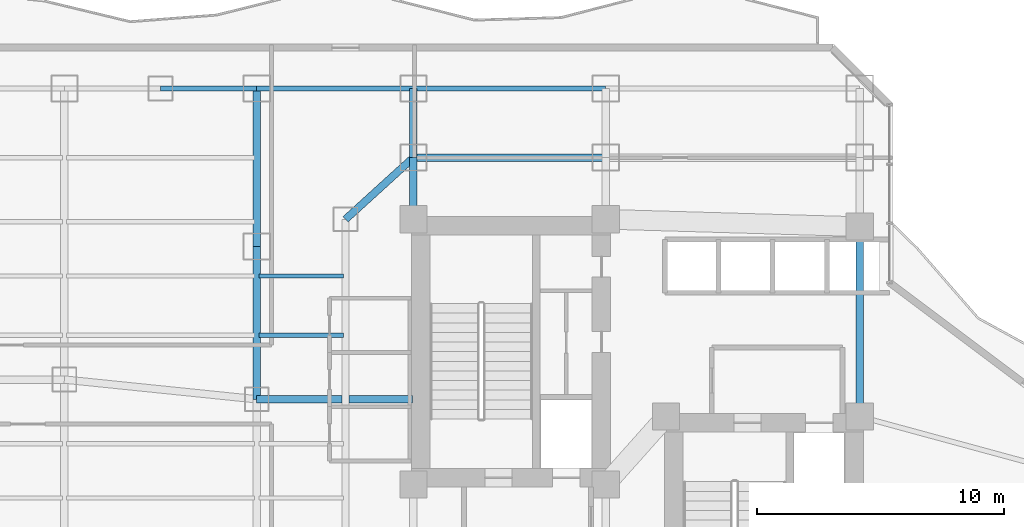
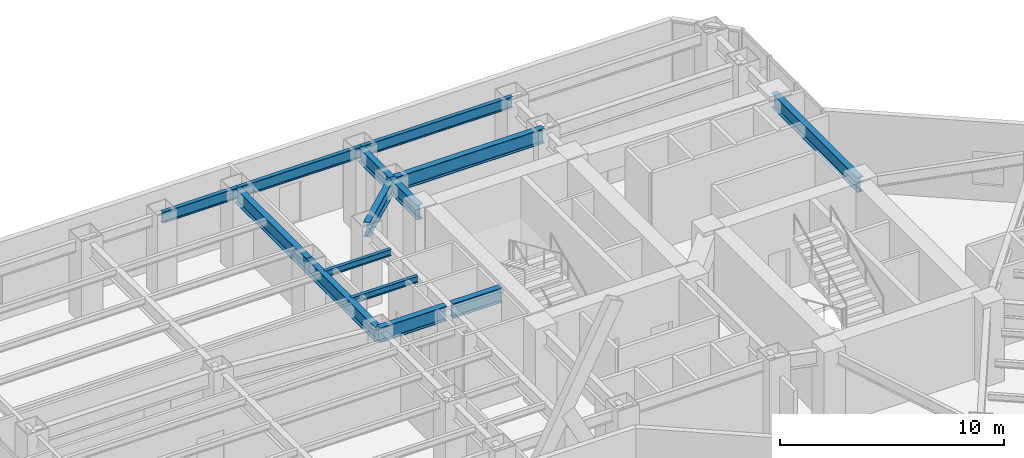
# One storey, part 15 of 29: 14 beams.
"""IFC4 building model written with IfcOpenShell, lengths in metres."""

import ifcopenshell
import ifcopenshell.guid

model = None  # the IFC model being written
_history = None  # IfcOwnerHistory: only IFC2X3 demands one
_inside = {}  # id of a spatial element -> (the spatial element, [elements in it])
_under = {}  # id of a project, library or spatial element -> (it, [spatial elements below it])
_declared = {}  # id of a project -> (the project, [libraries it declares])
_typed = {}  # id of a type object -> (the type object, [elements of that type])
_made_of = {}  # id of a material, layer set ... -> (it, [elements and type objects made of it])


def new_model(schema):
    """Start an empty IFC model of exactly this schema.

    Asked for "IFC4X3", IfcOpenShell would pick the latest addendum, in which some entities
    have other attributes; the version numbers below select the first issue.
    IFC2X3 requires an IfcOwnerHistory on every rooted entity: one is made here for all.
    """
    global model, _history
    if schema == "IFC4X3":
        model = ifcopenshell.file(schema_version=(4, 3, 0, 0))
    else:
        model = ifcopenshell.file(schema=schema)
    _inside.clear()
    _under.clear()
    _declared.clear()
    _typed.clear()
    _made_of.clear()
    _history = None
    if model.schema == "IFC2X3":
        org = make("IfcOrganization", Name="unknown")
        user = make(
            "IfcPersonAndOrganization",
            ThePerson=make("IfcPerson", FamilyName="unknown"),
            TheOrganization=org,
        )
        app = make(
            "IfcApplication",
            ApplicationDeveloper=org,
            Version="unknown",
            ApplicationFullName="unknown",
            ApplicationIdentifier="unknown",
        )
        _history = make(
            "IfcOwnerHistory",
            OwningUser=user,
            OwningApplication=app,
            ChangeAction="ADDED",
            CreationDate=0,
        )
    return model


def make(cls, **values):
    """One entity of the class cls with the attributes given. An attribute that is None is left unset."""
    return model.create_entity(
        cls, **{name: value for name, value in values.items() if value is not None}
    )


def rooted(cls, **values):
    """An entity with a GlobalId (a new one), such as an element, a storey or a relation."""
    return make(cls, GlobalId=ifcopenshell.guid.new(), OwnerHistory=_history, **values)


def si_unit(unit_type, name, prefix=None):
    """IfcSIUnit, for example si_unit("LENGTHUNIT", "METRE", prefix="MILLI")."""
    return make("IfcSIUnit", UnitType=unit_type, Prefix=prefix, Name=name)


def assignment(units):
    """IfcUnitAssignment: the units of a project."""
    return None if units is None else make("IfcUnitAssignment", Units=units)


def point(xyz):
    """IfcCartesianPoint."""
    return None if xyz is None else make("IfcCartesianPoint", Coordinates=xyz)


def direction(xyz):
    """IfcDirection."""
    return None if xyz is None else make("IfcDirection", DirectionRatios=xyz)


def frame(location, z_axis=None, x_axis=None):
    """IfcAxis2Placement3D, a coordinate frame: its origin and axes. An axis left out is left unset."""
    return make(
        "IfcAxis2Placement3D",
        Location=point(location),
        Axis=direction(z_axis),
        RefDirection=direction(x_axis),
    )


def frame_2d(location, x_axis=None):
    """IfcAxis2Placement2D, a coordinate frame in the plane: its origin and x axis."""
    return make(
        "IfcAxis2Placement2D", Location=point(location), RefDirection=direction(x_axis)
    )


def origin():
    """The frame at (0, 0, 0) with its axes left unset."""
    return frame((0.0, 0.0, 0.0))


def origin_2d():
    """The frame at (0, 0) in the plane with its x axis left unset."""
    return frame_2d((0.0, 0.0))


def place(relative_to, where):
    """IfcLocalPlacement: puts the frame where relative to a parent placement (None: the world)."""
    return make(
        "IfcLocalPlacement", PlacementRelTo=relative_to, RelativePlacement=where
    )


def context(
    kind, dimensions, precision=None, world=None, true_north=None, identifier=None
):
    """IfcGeometricRepresentationContext, for example the 3D "Model" context."""
    return make(
        "IfcGeometricRepresentationContext",
        ContextIdentifier=identifier,
        ContextType=kind,
        CoordinateSpaceDimension=dimensions,
        Precision=precision,
        WorldCoordinateSystem=world,
        TrueNorth=true_north,
    )


def subcontext(parent, identifier, kind, view, scale=None):
    """IfcGeometricRepresentationSubContext, for example "Body" below "Model"."""
    return make(
        "IfcGeometricRepresentationSubContext",
        ContextIdentifier=identifier,
        ContextType=kind,
        ParentContext=parent,
        TargetScale=scale,
        TargetView=view,
    )


def project(units=None, contexts=None):
    """IfcProject with its units and contexts."""
    return rooted(
        "IfcProject",
        Name="project",
        RepresentationContexts=contexts,
        UnitsInContext=assignment(units),
    )


def spatial(cls, under=None, at=None, **own):
    """A site, building, storey or space (cls), placed at a placement, below another one or the project."""
    s = rooted(cls, ObjectPlacement=at, **own)
    if under is not None:
        _under.setdefault(under.id(), (under, []))[1].append(s)
    return s


def profile(cls, at=None, kind="AREA", **sizes):
    """A parametric profile (cls). Its sizes go by their IFC names, for example OverallWidth=200.0."""
    return make(cls, ProfileType=kind, Position=at, **sizes)


def i_section(**sizes):
    """IfcIShapeProfileDef."""
    return profile("IfcIShapeProfileDef", **sizes)


def extrude(swept, where, along, depth):
    """IfcExtrudedAreaSolid: the profile swept, set in the frame where, extruded along a direction by depth."""
    return make(
        "IfcExtrudedAreaSolid",
        SweptArea=swept,
        Position=where,
        ExtrudedDirection=direction(along),
        Depth=depth,
    )


def shape(context_of_items, identifier, shape_type, items):
    """IfcShapeRepresentation: the items that make up one representation, for example the "Body"."""
    return make(
        "IfcShapeRepresentation",
        ContextOfItems=context_of_items,
        RepresentationIdentifier=identifier,
        RepresentationType=shape_type,
        Items=items,
    )


def material(Name=None, Category=None):
    """IfcMaterial."""
    return make("IfcMaterial", Name=Name, Category=Category)


def material_profile(
    of_material, cross_section, Name=None, Category=None, Priority=None
):
    """IfcMaterialProfile: a cross section and its material."""
    return make(
        "IfcMaterialProfile",
        Name=Name,
        Material=of_material,
        Profile=cross_section,
        Priority=Priority,
        Category=Category,
    )


def profile_set(profiles, Name=None, composite=None):
    """IfcMaterialProfileSet."""
    return make(
        "IfcMaterialProfileSet",
        Name=Name,
        MaterialProfiles=profiles,
        CompositeProfile=composite,
    )


def made_of(thing, what):
    """Note that an element or type object is made of a material, layer set ...; save() writes the relation."""
    if what is not None:
        _made_of.setdefault(what.id(), (what, []))[1].append(thing)
    return thing


def type_object(cls, material=None, **own):
    """A type object (cls), such as IfcWallType, which elements share."""
    return made_of(rooted(cls, **own), material)


def element(
    cls,
    number,
    at=None,
    inside=None,
    cuts=None,
    type_object=None,
    material=None,
    context=None,
    identifier="Body",
    shape_type=None,
    held_by="IfcProductDefinitionShape",
    body=None,
    shapes=None,
    **own,
):
    """One element of the class cls, such as IfcWall. Its Tag is "e" and its number.

    at: its placement. inside: the storey or other place that contains it. cuts: it is an
    opening in that element (IfcRelVoidsElement). A single representation is given by context,
    identifier, shape_type and body (its items); several are given by shapes. held_by: the class
    of the entity that holds the representations. save() writes the other relations.
    """
    e = rooted(cls, Tag="e%d" % number, ObjectPlacement=at, **own)
    if body is not None:
        shapes = [shape(context, identifier, shape_type, body)]
    if shapes is not None:
        e.Representation = make(held_by, Representations=shapes)
    if inside is not None:
        _inside.setdefault(inside.id(), (inside, []))[1].append(e)
    if cuts is not None:
        rooted(
            "IfcRelVoidsElement", RelatingBuildingElement=cuts, RelatedOpeningElement=e
        )
    if type_object is not None:
        _typed.setdefault(type_object.id(), (type_object, []))[1].append(e)
    return made_of(e, material)


def aggregate(whole, parts):
    """IfcRelAggregates: a whole, such as a stair, and the parts it consists of."""
    return rooted("IfcRelAggregates", RelatingObject=whole, RelatedObjects=parts)


def save(model, path):
    """Write the relations noted so far, then the file.

    IfcRelAggregates (storeys below a building ...), IfcRelContainedInSpatialStructure (elements
    in a storey), IfcRelDefinesByType, IfcRelAssociatesMaterial and IfcRelDeclares: one each for
    every whole, place, type object, material and project.
    """
    for whole, parts in _under.values():
        aggregate(whole, parts)
    for where, things in _inside.values():
        rooted(
            "IfcRelContainedInSpatialStructure",
            RelatedElements=things,
            RelatingStructure=where,
        )
    for kind, things in _typed.values():
        rooted("IfcRelDefinesByType", RelatedObjects=things, RelatingType=kind)
    for what, things in _made_of.values():
        rooted("IfcRelAssociatesMaterial", RelatedObjects=things, RelatingMaterial=what)
    for by, libraries in _declared.values():
        rooted("IfcRelDeclares", RelatingContext=by, RelatedDefinitions=libraries)
    model.write(path)


model = new_model("IFC4")

# Units and contexts
model_context = context("Model", 3, precision=1e-05, world=origin(), true_north=direction((0.0, 1.0)))
body_context = subcontext(model_context, "Body", "Model", "MODEL_VIEW")
ifc_project = project(units=[si_unit("LENGTHUNIT", "METRE"), si_unit("AREAUNIT", "SQUARE_METRE"), si_unit("VOLUMEUNIT", "CUBIC_METRE"), si_unit("PLANEANGLEUNIT", "RADIAN"), si_unit("MASSUNIT", "GRAM", prefix="KILO")], contexts=[model_context])

# Site, building, storey
site_placement = place(None, origin())
site = spatial("IfcSite", under=ifc_project, at=site_placement, CompositionType="ELEMENT")
building_placement = place(site_placement, origin())
building = spatial("IfcBuilding", under=site, at=building_placement, Name="Hatsunagi Terrace Concourse", CompositionType="ELEMENT")
storey_placement = place(building_placement, frame((0.0, 0.0, 32.10009765625)))
storey = spatial("IfcBuildingStorey", under=building, at=storey_placement, Name="L07", CompositionType="ELEMENT", Elevation=32.10009765625)

# Beams
ifc_material_1 = material(Name="Steel SN490B", Category="steel")
ifc_material_profile_1 = material_profile(ifc_material_1, i_section(OverallWidth=0.175048828125, OverallDepth=0.35009765625, WebThickness=0.007080078125, FlangeThickness=0.010986328125, FilletRadius=0.012939453125, at=origin_2d()), Name="H-350x175x7x11")
ifc_profile_set_1 = profile_set([ifc_material_profile_1], Name="Steel SN490B")
beam_type_1 = type_object("IfcBeamType", Name="HotelJoist_H_350x175", PredefinedType="JOIST", material=ifc_profile_set_1)
for number, where, z_axis, x_axis, name in (
    (1, (19.284912109375, 38.60009765625, 4.10498046875), (1.0, 0.0, 0.0), (0.0, 1.0, 0.0), "Beam J-02 J-L07-W-19-386"),
    (2, (19.284912109375, 41.0, 4.10498046875), (1.0, 0.0, 0.0), (0.0, 1.0, 0.0), "Beam J-02 J-L07-W-19-410"),
):
    element("IfcBeam", number, at=place(storey_placement, frame(where, z_axis=z_axis, x_axis=x_axis)), inside=storey, type_object=beam_type_1, Name=name, PredefinedType="JOIST", context=body_context, shape_type="SweptSolid", body=[
        extrude(i_section(OverallWidth=0.175048828125, OverallDepth=0.35009765625, WebThickness=0.007080078125, FlangeThickness=0.010986328125, FilletRadius=0.012939453125, at=origin_2d()), origin(), (0.0, 0.0, 1.0), 3.43017578125),
    ])
ifc_material_2 = material(Name="Steel SN490B", Category="steel")
ifc_material_profile_2 = material_profile(ifc_material_2, i_section(OverallWidth=0.199951171875, OverallDepth=0.60009765625, WebThickness=0.010986328125, FlangeThickness=0.01708984375, FilletRadius=0.01806640625, at=origin_2d()), Name="H-600x200x11x17")
ifc_profile_set_2 = profile_set([ifc_material_profile_2], Name="Steel SN490B")
beam_type_2 = type_object("IfcBeamType", Name="PerimeterSpandrel_H_600x200", PredefinedType="SPANDREL", material=ifc_profile_set_2)
beam_1_placement = place(storey_placement, frame((15.300048828125, 48.60009765625, 3.97998046875), z_axis=(1.0, 0.0, 0.0), x_axis=(0.0, 1.0, 0.0)))
element("IfcBeam", 3, at=beam_1_placement, inside=storey, type_object=beam_type_2, Name="Beam SP-01 BM-L07-WN-15", PredefinedType="SPANDREL", context=body_context, shape_type="SweptSolid", body=[
    extrude(i_section(OverallWidth=0.199951171875, OverallDepth=0.60009765625, WebThickness=0.010986328125, FlangeThickness=0.01708984375, FilletRadius=0.01806640625, at=origin_2d()), origin(), (0.0, 0.0, 1.0), 3.89990234375),
])
beam_2_placement = place(storey_placement, frame((19.199951171875, 48.60009765625, 3.97998046875), z_axis=(1.0, 0.0, 0.0), x_axis=(0.0, 1.0, 0.0)))
element("IfcBeam", 4, at=beam_2_placement, inside=storey, type_object=beam_type_2, Name="Beam SP-01 BM-L07-WN-19", PredefinedType="SPANDREL", context=body_context, shape_type="SweptSolid", body=[
    extrude(i_section(OverallWidth=0.199951171875, OverallDepth=0.60009765625, WebThickness=0.010986328125, FlangeThickness=0.01708984375, FilletRadius=0.01806640625, at=origin_2d()), origin(), (0.0, 0.0, 1.0), 6.35009765625),
])
beam_3_placement = place(storey_placement, frame((25.550048828125, 48.60009765625, 3.97998046875), z_axis=(1.0, 0.0, 0.0), x_axis=(0.0, 1.0, 0.0)))
element("IfcBeam", 5, at=beam_3_placement, inside=storey, type_object=beam_type_2, Name="Beam SP-01 BM-L07-WN-25", PredefinedType="SPANDREL", context=body_context, shape_type="SweptSolid", body=[
    extrude(i_section(OverallWidth=0.199951171875, OverallDepth=0.60009765625, WebThickness=0.010986328125, FlangeThickness=0.01708984375, FilletRadius=0.01806640625, at=origin_2d()), origin(), (0.0, 0.0, 1.0), 7.800048828125),
])
ifc_material_3 = material(Name="Steel SN490B", Category="steel")
ifc_material_profile_3 = material_profile(ifc_material_3, i_section(OverallWidth=0.300048828125, OverallDepth=0.800048828125, WebThickness=0.013916015625, FlangeThickness=0.02587890625, FilletRadius=0.02197265625, at=origin_2d()), Name="H-800x300x14x26")
ifc_profile_set_3 = profile_set([ifc_material_profile_3], Name="Steel SN490B")
beam_type_3 = type_object("IfcBeamType", Name="SkyLobbyGirder_H_800x300", PredefinedType="BEAM", material=ifc_profile_set_3)
beam_4_placement = place(storey_placement, frame((43.64990234375, 35.300048828125, 3.8798828125), z_axis=(0.0, 1.0, 0.0), x_axis=(-1.0, 0.0, 0.0)))
element("IfcBeam", 6, at=beam_4_placement, inside=storey, type_object=beam_type_3, Name="Beam G-03 BM-L07-CBK3", PredefinedType="BEAM", context=body_context, shape_type="SweptSolid", body=[
    extrude(i_section(OverallWidth=0.300048828125, OverallDepth=0.800048828125, WebThickness=0.013916015625, FlangeThickness=0.02587890625, FilletRadius=0.02197265625, at=origin_2d()), origin(), (0.0, 0.0, 1.0), 7.699951171875),
])
beam_5_placement = place(storey_placement, frame((25.550048828125, 43.300048828125, 3.8798828125), z_axis=(0.0, 1.0, 0.0), x_axis=(-1.0, 0.0, 0.0)))
element("IfcBeam", 7, at=beam_5_placement, inside=storey, type_object=beam_type_3, Name="Beam G-03 BM-L07-CN1", PredefinedType="BEAM", context=body_context, shape_type="SweptSolid", body=[
    extrude(i_section(OverallWidth=0.300048828125, OverallDepth=0.800048828125, WebThickness=0.013916015625, FlangeThickness=0.02587890625, FilletRadius=0.02197265625, at=origin_2d()), origin(), (0.0, 0.0, 1.0), 2.5),
])
beam_6_placement = place(storey_placement, frame((25.550048828125, 45.800048828125, 3.8798828125), z_axis=(1.0, 0.0, 0.0), x_axis=(0.0, 1.0, 0.0)))
element("IfcBeam", 8, at=beam_6_placement, inside=storey, type_object=beam_type_3, Name="Beam G-03 BM-L07-CNEW1", PredefinedType="BEAM", context=body_context, shape_type="SweptSolid", body=[
    extrude(i_section(OverallWidth=0.300048828125, OverallDepth=0.800048828125, WebThickness=0.013916015625, FlangeThickness=0.02587890625, FilletRadius=0.02197265625, at=origin_2d()), origin(), (0.0, 0.0, 1.0), 7.800048828125),
])
beam_7_placement = place(storey_placement, frame((25.550048828125, 45.800048828125, 3.8798828125), z_axis=(0.0, 1.0, 0.0), x_axis=(-1.0, 0.0, 0.0)))
element("IfcBeam", 9, at=beam_7_placement, inside=storey, type_object=beam_type_3, Name="Beam G-03 BM-L07-KN-WN4", PredefinedType="BEAM", context=body_context, shape_type="SweptSolid", body=[
    extrude(i_section(OverallWidth=0.300048828125, OverallDepth=0.800048828125, WebThickness=0.013916015625, FlangeThickness=0.02587890625, FilletRadius=0.02197265625, at=origin_2d()), origin(), (0.0, 0.0, 1.0), 2.800048828125),
])
beam_8_placement = place(storey_placement, frame((22.800048828125, 43.300048828125, 3.8798828125), z_axis=(0.739940073396, 0.672672793996, 0.0), x_axis=(-0.672672793996, 0.739940073396, 0.0)))
element("IfcBeam", 10, at=beam_8_placement, inside=storey, type_object=beam_type_3, Name="Beam G-03 BM-L07-CWEW-N", PredefinedType="BEAM", context=body_context, shape_type="SweptSolid", body=[
    extrude(i_section(OverallWidth=0.300048828125, OverallDepth=0.800048828125, WebThickness=0.013916015625, FlangeThickness=0.02587890625, FilletRadius=0.02197265625, at=origin_2d()), origin(), (0.0, 0.0, 1.0), 3.716552734375),
])
beam_9_placement = place(storey_placement, frame((19.199951171875, 36.0, 3.8798828125), z_axis=(0.0, 1.0, 0.0), x_axis=(-1.0, 0.0, 0.0)))
element("IfcBeam", 11, at=beam_9_placement, inside=storey, type_object=beam_type_3, Name="Beam G-03 BM-L07-NS-19-36", PredefinedType="BEAM", context=body_context, shape_type="SweptSolid", body=[
    extrude(i_section(OverallWidth=0.300048828125, OverallDepth=0.800048828125, WebThickness=0.013916015625, FlangeThickness=0.02587890625, FilletRadius=0.02197265625, at=origin_2d()), origin(), (0.0, 0.0, 1.0), 6.199951171875),
])
beam_10_placement = place(storey_placement, frame((19.199951171875, 42.199951171875, 3.8798828125), z_axis=(0.0, 1.0, 0.0), x_axis=(-1.0, 0.0, 0.0)))
element("IfcBeam", 12, at=beam_10_placement, inside=storey, type_object=beam_type_3, Name="Beam G-03 BM-L07-NS-19-42", PredefinedType="BEAM", context=body_context, shape_type="SweptSolid", body=[
    extrude(i_section(OverallWidth=0.300048828125, OverallDepth=0.800048828125, WebThickness=0.013916015625, FlangeThickness=0.02587890625, FilletRadius=0.02197265625, at=origin_2d()), origin(), (0.0, 0.0, 1.0), 6.400146484375),
])
beam_11_placement = place(storey_placement, frame((19.199951171875, 36.0, 3.8798828125), z_axis=(1.0, 0.0, 0.0), x_axis=(0.0, 1.0, 0.0)))
element("IfcBeam", 13, at=beam_11_placement, inside=storey, type_object=beam_type_3, Name="Beam G-03 BM-L07-EW-3", PredefinedType="BEAM", context=body_context, shape_type="SweptSolid", body=[
    extrude(i_section(OverallWidth=0.300048828125, OverallDepth=0.800048828125, WebThickness=0.013916015625, FlangeThickness=0.02587890625, FilletRadius=0.02197265625, at=origin_2d()), origin(), (0.0, 0.0, 1.0), 3.449951171875),
])
beam_12_placement = place(storey_placement, frame((22.949951171875, 36.0, 3.8798828125), z_axis=(1.0, 0.0, 0.0), x_axis=(0.0, 1.0, 0.0)))
element("IfcBeam", 14, at=beam_12_placement, inside=storey, type_object=beam_type_3, Name="Beam G-03 BM-L07-EW-4", PredefinedType="BEAM", context=body_context, shape_type="SweptSolid", body=[
    extrude(i_section(OverallWidth=0.300048828125, OverallDepth=0.800048828125, WebThickness=0.013916015625, FlangeThickness=0.02587890625, FilletRadius=0.02197265625, at=origin_2d()), origin(), (0.0, 0.0, 1.0), 2.56005859375),
])

save(model, "model.ifc")
